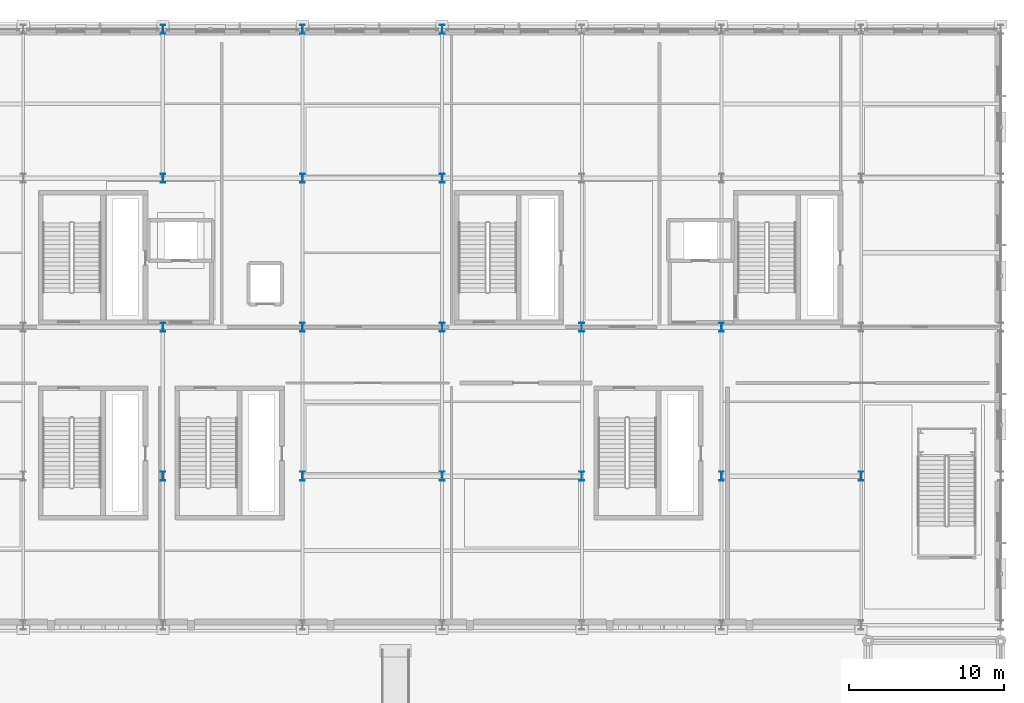
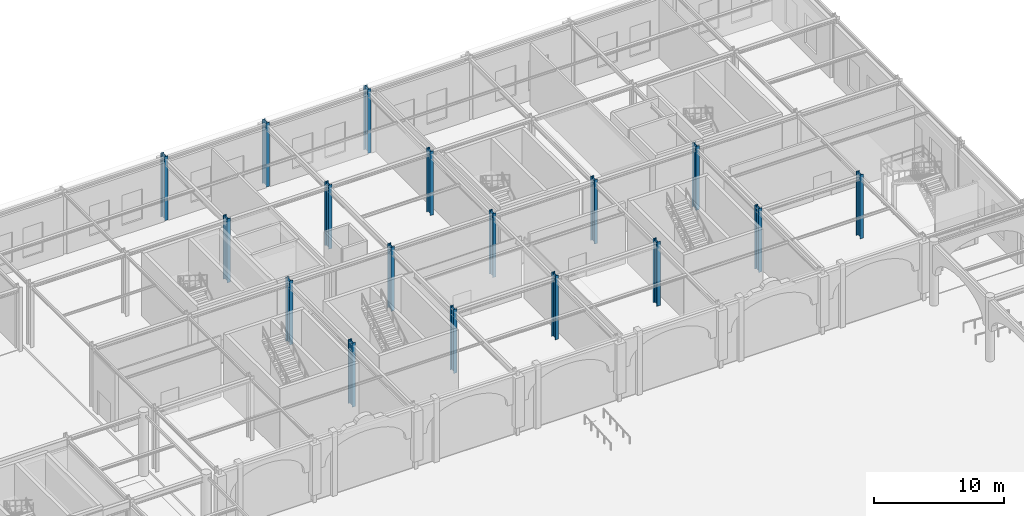
# One storey, part 23 of 113: 17 columns.
"""IFC4 building model written with IfcOpenShell, lengths in metres."""

from ifc_helpers import new_model, si_unit, direction, frame, origin, origin_2d, place, context, subcontext, project, spatial, i_section, extrude, material, material_profile, profile_set, type_object, element, save


model = new_model("IFC4")

# Units and contexts
model_context = context("Model", 3, precision=1e-05, world=origin(), true_north=direction((0.0, 1.0)))
body_context = subcontext(model_context, "Body", "Model", "MODEL_VIEW")
ifc_project = project(units=[si_unit("LENGTHUNIT", "METRE"), si_unit("AREAUNIT", "SQUARE_METRE"), si_unit("VOLUMEUNIT", "CUBIC_METRE"), si_unit("PLANEANGLEUNIT", "RADIAN"), si_unit("MASSUNIT", "GRAM", prefix="KILO")], contexts=[model_context])

# Site, building, storey
site_placement = place(None, origin())
site = spatial("IfcSite", under=ifc_project, at=site_placement, CompositionType="ELEMENT")
building_placement = place(site_placement, origin())
building = spatial("IfcBuilding", under=site, at=building_placement, Name="Myrtia Square Station", CompositionType="ELEMENT")
storey_placement = place(building_placement, origin())
storey = spatial("IfcBuildingStorey", under=building, at=storey_placement, Name="L00", CompositionType="ELEMENT", Elevation=0.0)

# Columns
ifc_material = material(Name="Steel S355", Category="steel")
ifc_material_profile = material_profile(ifc_material, i_section(OverallWidth=0.300048828125, OverallDepth=0.60009765625, WebThickness=0.015380859375, FlangeThickness=0.030029296875, FilletRadius=0.027099609375, at=origin_2d()), Name="HEB 600")
ifc_profile_set = profile_set([ifc_material_profile], Name="Steel S355")
column_type = type_object("IfcColumnType", Name="COL-HEB600", PredefinedType="COLUMN", material=ifc_profile_set)
for number, where, z_axis, x_axis, name in (
    (1, (135.0, 96.0, 0.0), (0.0, 0.0, 1.0), (1.0, 0.0, 0.0), "Column L00-0816"),
    (2, (135.0, 105.60009765625, 0.0), (0.0, 0.0, 1.0), (1.0, 0.0, 0.0), "Column L00-0822"),
    (3, (135.0, 115.199951171875, 0.0), (0.0, 0.0, 1.0), (1.0, 0.0, 0.0), "Column L00-0828"),
    (4, (135.0, 124.800048828125, 0.0), (0.0, 0.0, 1.0), (1.0, 0.0, 0.0), "Column L00-0834"),
    (5, (144.0, 96.0, 0.0), (0.0, 0.0, 1.0), (1.0, 0.0, 0.0), "Column L00-0846"),
    (6, (144.0, 105.60009765625, 0.0), (0.0, 0.0, 1.0), (1.0, 0.0, 0.0), "Column L00-0852"),
    (7, (144.0, 115.199951171875, 0.0), (0.0, 0.0, 1.0), (1.0, 0.0, 0.0), "Column L00-0858"),
    (8, (144.0, 124.800048828125, 0.0), (0.0, 0.0, 1.0), (1.0, 0.0, 0.0), "Column L00-0864"),
    (9, (153.0, 96.0, 0.0), (0.0, 0.0, 1.0), (1.0, 0.0, 0.0), "Column L00-0875"),
    (10, (153.0, 105.60009765625, 0.0), (0.0, 0.0, 1.0), (1.0, 0.0, 0.0), "Column L00-0881"),
    (11, (153.0, 115.199951171875, 0.0), (0.0, 0.0, 1.0), (1.0, 0.0, 0.0), "Column L00-0887"),
    (12, (153.0, 124.800048828125, 0.0), (0.0, 0.0, 1.0), (1.0, 0.0, 0.0), "Column L00-0893"),
    (13, (162.0, 96.0, 0.0), (0.0, 0.0, 1.0), (1.0, 0.0, 0.0), "Column L00-0905"),
    (14, (162.0, 105.60009765625, 0.0), (0.0, 0.0, 1.0), (1.0, 0.0, 0.0), "Column L00-0911"),
    (15, (171.0, 96.0, 0.0), (0.0, 0.0, 1.0), (1.0, 0.0, 0.0), "Column L00-0935"),
    (16, (171.0, 105.60009765625, 0.0), (0.0, 0.0, 1.0), (1.0, 0.0, 0.0), "Column L00-0941"),
    (17, (180.0, 96.0, 0.0), (0.0, 0.0, 1.0), (1.0, 0.0, 0.0), "Column L00-0965"),
):
    element("IfcColumn", number, at=place(storey_placement, frame(where, z_axis=z_axis, x_axis=x_axis)), inside=storey, type_object=column_type, Name=name, PredefinedType="COLUMN", context=body_context, shape_type="SweptSolid", body=[
        extrude(i_section(OverallWidth=0.300048828125, OverallDepth=0.60009765625, WebThickness=0.015380859375, FlangeThickness=0.030029296875, FilletRadius=0.027099609375, at=origin_2d()), origin(), (0.0, 0.0, 1.0), 6.0),
    ])

save(model, "model.ifc")
